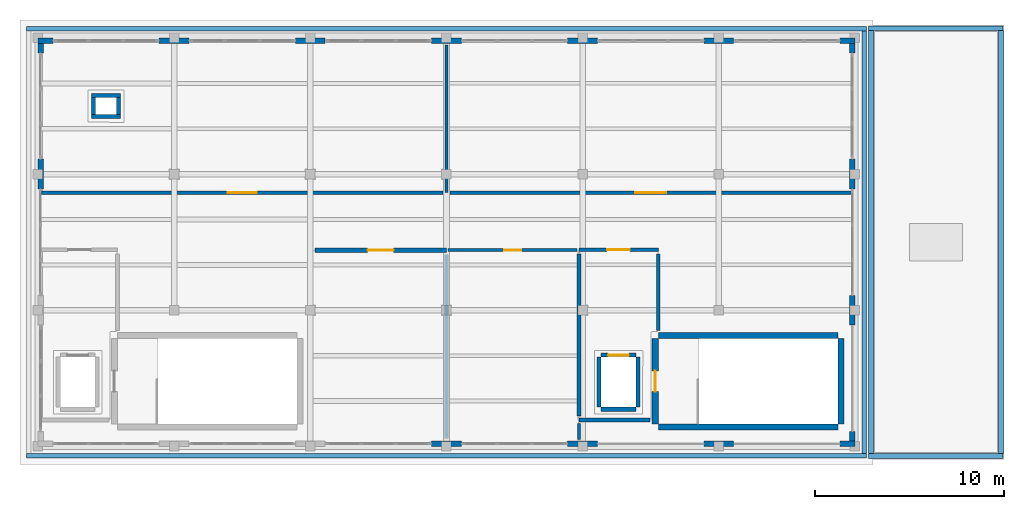
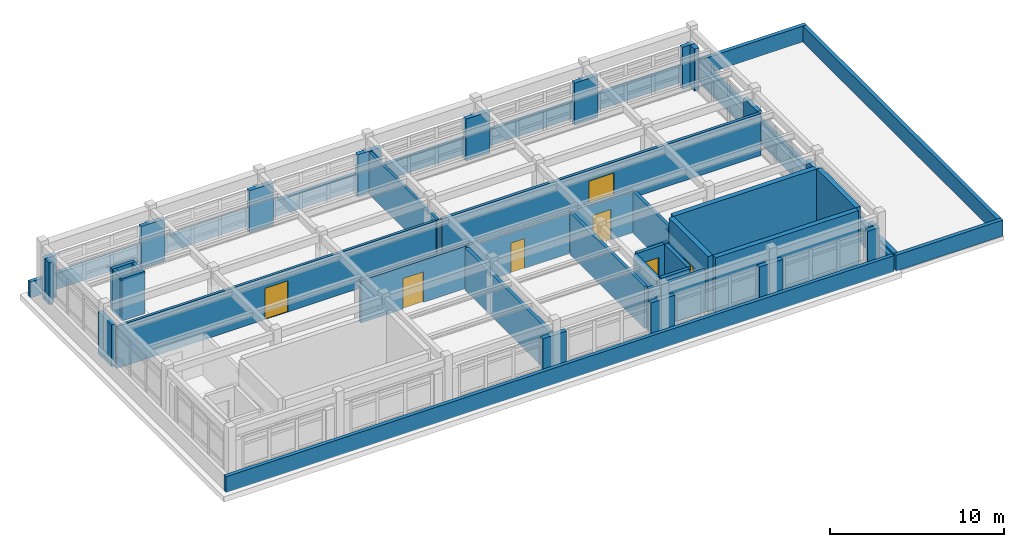
# One storey, part 11 of 12: 47 walls, 7 doors, 7 openings.
"""IFC4 building model written with IfcOpenShell, lengths in metres."""

from ifc_helpers import new_model, si_unit, direction, frame, frame_2d, origin, place, context, subcontext, project, spatial, rectangle, extrude, material, layer, layer_set, type_object, element, fill, save


model = new_model("IFC4")

# Units and contexts
model_context = context("Model", 3, precision=1e-05, world=origin(), true_north=direction((0.0, 1.0)))
body_context = subcontext(model_context, "Body", "Model", "MODEL_VIEW")
ifc_project = project(units=[si_unit("LENGTHUNIT", "METRE"), si_unit("AREAUNIT", "SQUARE_METRE"), si_unit("VOLUMEUNIT", "CUBIC_METRE"), si_unit("PLANEANGLEUNIT", "RADIAN"), si_unit("MASSUNIT", "GRAM", prefix="KILO")], contexts=[model_context])

# Site, building, storey
site_placement = place(None, origin())
site = spatial("IfcSite", under=ifc_project, at=site_placement, CompositionType="ELEMENT")
building_placement = place(site_placement, origin())
building = spatial("IfcBuilding", under=site, at=building_placement, Name="Solenvale Faculty of Natural Sciences", CompositionType="ELEMENT")
storey_placement = place(building_placement, frame((0.0, 0.0, 52.199951171875)))
storey = spatial("IfcBuildingStorey", under=building, at=storey_placement, Name="RF", CompositionType="ELEMENT", Elevation=52.199951171875)

# Walls
ifc_material_1 = material(Name="Precast concrete 40 MPa", Category="concrete")
ifc_layer_1 = layer(ifc_material_1, 0.284912109375)
ifc_layer_set_1 = layer_set([ifc_layer_1], Name="Precast concrete 40 MPa")
wall_type_1 = type_object("IfcWallType", Name="WL-EXT-PRC-285", PredefinedType="STANDARD", material=ifc_layer_set_1)
wall_1_placement = place(storey_placement, frame((143.857421875, 93.885009765625, 0.0), z_axis=(0.0, 0.0, 1.0), x_axis=(0.0, 1.0, 0.0)))
element("IfcWall", 1, at=wall_1_placement, inside=storey, type_object=wall_type_1, Name="RF Facade Closure Pier 1.B1-L", PredefinedType="STANDARD", context=body_context, shape_type="SweptSolid", body=[
    extrude(rectangle(XDim=0.5029296875, YDim=0.284912109375, at=frame_2d((0.25146484375, 0.0))), origin(), (0.0, 0.0, 1.0), 2.9599609375),
])
wall_2_placement = place(storey_placement, frame((143.857421875, 100.011962890625, 0.0), z_axis=(0.0, 0.0, 1.0), x_axis=(0.0, 1.0, 0.0)))
element("IfcWall", 2, at=wall_2_placement, inside=storey, type_object=wall_type_1, Name="RF Facade Closure Pier 1.B1-R", PredefinedType="STANDARD", context=body_context, shape_type="SweptSolid", body=[
    extrude(rectangle(XDim=1.575927734375, YDim=0.284912109375, at=frame_2d((0.7880859375, 0.0))), origin(), (0.0, 0.0, 1.0), 2.9599609375),
])
wall_3_placement = place(storey_placement, frame((143.857421875, 107.2119140625, 0.0), z_axis=(0.0, 0.0, 1.0), x_axis=(0.0, 1.0, 0.0)))
element("IfcWall", 3, at=wall_3_placement, inside=storey, type_object=wall_type_1, Name="RF Facade Closure Pier 1.B2-R", PredefinedType="STANDARD", context=body_context, shape_type="SweptSolid", body=[
    extrude(rectangle(XDim=1.576171875, YDim=0.284912109375, at=frame_2d((0.7880859375, 0.0))), origin(), (0.0, 0.0, 1.0), 2.9599609375),
])
wall_4_placement = place(storey_placement, frame((143.857421875, 114.412109375, 0.0), z_axis=(0.0, 0.0, 1.0), x_axis=(0.0, 1.0, 0.0)))
element("IfcWall", 4, at=wall_4_placement, inside=storey, type_object=wall_type_1, Name="RF Facade Closure Pier 1.B3-R", PredefinedType="STANDARD", context=body_context, shape_type="SweptSolid", body=[
    extrude(rectangle(XDim=0.5029296875, YDim=0.284912109375, at=frame_2d((0.25146484375, 0.0))), origin(), (0.0, 0.0, 1.0), 2.9599609375),
])
wall_5_placement = place(storey_placement, frame((144.0, 115.0576171875, 0.0), z_axis=(0.0, 0.0, 1.0), x_axis=(-1.0, 0.0, 0.0)))
element("IfcWall", 5, at=wall_5_placement, inside=storey, type_object=wall_type_1, Name="RF Facade Closure Pier 2.B1-L", PredefinedType="STANDARD", context=body_context, shape_type="SweptSolid", body=[
    extrude(rectangle(XDim=0.7880859375, YDim=0.284912109375, at=frame_2d((0.39404296875, 0.0))), origin(), (0.0, 0.0, 1.0), 2.9599609375),
])
for number, where, z_axis, x_axis, name in (
    (6, (137.587890625, 115.0576171875, 0.0), (0.0, 0.0, 1.0), (-1.0, 0.0, 0.0), "RF Facade Closure Pier 2.B1-R"),
    (7, (130.387939453125, 115.0576171875, 0.0), (0.0, 0.0, 1.0), (-1.0, 0.0, 0.0), "RF Facade Closure Pier 2.B2-R"),
    (8, (123.18798828125, 115.0576171875, 0.0), (0.0, 0.0, 1.0), (-1.0, 0.0, 0.0), "RF Facade Closure Pier 2.B3-R"),
    (9, (115.988037109375, 115.0576171875, 0.0), (0.0, 0.0, 1.0), (-1.0, 0.0, 0.0), "RF Facade Closure Pier 2.B4-R"),
):
    element("IfcWall", number, at=place(storey_placement, frame(where, z_axis=z_axis, x_axis=x_axis)), inside=storey, type_object=wall_type_1, Name=name, PredefinedType="STANDARD", context=body_context, shape_type="SweptSolid", body=[
        extrude(rectangle(XDim=1.575927734375, YDim=0.284912109375, at=frame_2d((0.7880859375, 0.0))), origin(), (0.0, 0.0, 1.0), 2.9599609375),
    ])
wall_6_placement = place(storey_placement, frame((108.7880859375, 115.0576171875, 0.0), z_axis=(0.0, 0.0, 1.0), x_axis=(-1.0, 0.0, 0.0)))
element("IfcWall", 10, at=wall_6_placement, inside=storey, type_object=wall_type_1, Name="RF Facade Closure Pier 2.B5-R", PredefinedType="STANDARD", context=body_context, shape_type="SweptSolid", body=[
    extrude(rectangle(XDim=1.576171875, YDim=0.284912109375, at=frame_2d((0.7880859375, 0.0))), origin(), (0.0, 0.0, 1.0), 2.9599609375),
])
wall_7_placement = place(storey_placement, frame((101.587890625, 115.0576171875, 0.0), z_axis=(0.0, 0.0, 1.0), x_axis=(-1.0, 0.0, 0.0)))
element("IfcWall", 11, at=wall_7_placement, inside=storey, type_object=wall_type_1, Name="RF Facade Closure Pier 2.B6-R", PredefinedType="STANDARD", context=body_context, shape_type="SweptSolid", body=[
    extrude(rectangle(XDim=0.787841796875, YDim=0.284912109375, at=frame_2d((0.39404296875, 0.0))), origin(), (0.0, 0.0, 1.0), 2.9599609375),
])
wall_8_placement = place(storey_placement, frame((100.9423828125, 114.9150390625, 0.0), z_axis=(0.0, 0.0, 1.0), x_axis=(0.0, -1.0, 0.0)))
element("IfcWall", 12, at=wall_8_placement, inside=storey, type_object=wall_type_1, Name="RF Facade Closure Pier 3.B1-L", PredefinedType="STANDARD", context=body_context, shape_type="SweptSolid", body=[
    extrude(rectangle(XDim=0.5029296875, YDim=0.284912109375, at=frame_2d((0.25146484375, 0.0))), origin(), (0.0, 0.0, 1.0), 2.9599609375),
])
wall_9_placement = place(storey_placement, frame((100.9423828125, 108.7880859375, 0.0), z_axis=(0.0, 0.0, 1.0), x_axis=(0.0, -1.0, 0.0)))
element("IfcWall", 13, at=wall_9_placement, inside=storey, type_object=wall_type_1, Name="RF Facade Closure Pier 3.B1-R", PredefinedType="STANDARD", context=body_context, shape_type="SweptSolid", body=[
    extrude(rectangle(XDim=1.576171875, YDim=0.284912109375, at=frame_2d((0.7880859375, 0.0))), origin(), (0.0, 0.0, 1.0), 2.9599609375),
])
for number, where, z_axis, x_axis, name in (
    (14, (121.612060546875, 93.742431640625, 0.0), (0.0, 0.0, 1.0), (1.0, 0.0, 0.0), "RF Facade Closure Pier 4.B3-R"),
    (15, (128.81201171875, 93.742431640625, 0.0), (0.0, 0.0, 1.0), (1.0, 0.0, 0.0), "RF Facade Closure Pier 4.B4-R"),
    (16, (136.011962890625, 93.742431640625, 0.0), (0.0, 0.0, 1.0), (1.0, 0.0, 0.0), "RF Facade Closure Pier 4.B5-R"),
):
    element("IfcWall", number, at=place(storey_placement, frame(where, z_axis=z_axis, x_axis=x_axis)), inside=storey, type_object=wall_type_1, Name=name, PredefinedType="STANDARD", context=body_context, shape_type="SweptSolid", body=[
        extrude(rectangle(XDim=1.575927734375, YDim=0.284912109375, at=frame_2d((0.7880859375, 0.0))), origin(), (0.0, 0.0, 1.0), 2.9599609375),
    ])
wall_10_placement = place(storey_placement, frame((143.2119140625, 93.742431640625, 0.0), z_axis=(0.0, 0.0, 1.0), x_axis=(1.0, 0.0, 0.0)))
element("IfcWall", 17, at=wall_10_placement, inside=storey, type_object=wall_type_1, Name="RF Facade Closure Pier 4.B6-R", PredefinedType="STANDARD", context=body_context, shape_type="SweptSolid", body=[
    extrude(rectangle(XDim=0.7880859375, YDim=0.284912109375, at=frame_2d((0.39404296875, 0.0))), origin(), (0.0, 0.0, 1.0), 2.9599609375),
])

# Wall, opening, door
ifc_material_2 = material(Name="Gypsum fire-rated shaftwall")
ifc_layer_2 = layer(ifc_material_2, 0.205078125)
ifc_layer_set_2 = layer_set([ifc_layer_2], Name="Gypsum fire-rated shaftwall")
wall_type_2 = type_object("IfcWallType", Name="WL-FFL-205", PredefinedType="PARTITIONING", material=ifc_layer_set_2)
wall_11_placement = place(storey_placement, frame((129.39990234375, 104.0, 0.0), z_axis=(0.0, 0.0, 1.0), x_axis=(1.0, 0.0, 0.0)))
wall_11 = element("IfcWall", 18, at=wall_11_placement, inside=storey, type_object=wall_type_2, Name="RF Firefighting Lobby C5 Partition 1", PredefinedType="PARTITIONING", context=body_context, shape_type="SweptSolid", body=[
    extrude(rectangle(XDim=4.2001953125, YDim=0.205078125, at=frame_2d((2.10009765625, 0.0))), origin(), (0.0, 0.0, 1.0), 2.9599609375),
])
opening_1_placement = place(wall_11_placement, frame((1.5, 0.0, 0.0)))
opening_1 = element("IfcOpeningElement", 19, at=opening_1_placement, cuts=wall_11, Name="Opening D-RF-02", PredefinedType="OPENING", context=body_context, shape_type="SweptSolid", body=[
    extrude(rectangle(XDim=1.199951171875, YDim=2.14990234375, at=frame_2d((0.60009765625, 1.074951171875))), frame((0.0, 0.112548828125, 0.0), z_axis=(0.0, -1.0, 0.0), x_axis=(1.0, 0.0, 0.0)), (0.0, 0.0, 1.0), 0.22509765625),
])
ifc_material_3 = material(Name="Galvanised steel S355", Category="steel")
door_type_1 = type_object("IfcDoorType", Name="DR-FFL-1200x2150", OperationType="NOTDEFINED", PredefinedType="DOOR", material=ifc_material_3)
door_1_placement = place(opening_1_placement, origin())
door_1 = element("IfcDoor", 20, at=door_1_placement, inside=storey, type_object=door_type_1, Name="RF Firefighting Lobby C5 Door", OperationType="SINGLE_SWING_LEFT", OverallHeight=2.14990234375, OverallWidth=1.199951171875, PredefinedType="DOOR", context=body_context, shape_type="SweptSolid", body=[
    extrude(rectangle(XDim=1.199951171875, YDim=2.14990234375, at=frame_2d((0.60009765625, 1.074951171875))), frame((0.0, 0.02490234375, 0.0), z_axis=(0.0, -1.0, 0.0), x_axis=(1.0, 0.0, 0.0)), (0.0, 0.0, 1.0), 0.050048828125),
])
fill(opening_1, door_1)

# Walls
wall_12_placement = place(storey_placement, frame((133.60009765625, 103.782958984375, 0.0), z_axis=(0.0, 0.0, 1.0), x_axis=(0.0, -1.0, 0.0)))
element("IfcWall", 21, at=wall_12_placement, inside=storey, type_object=wall_type_2, Name="RF Firefighting Lobby C5 Partition 2", PredefinedType="PARTITIONING", context=body_context, shape_type="SweptSolid", body=[
    extrude(rectangle(XDim=4.049072265625, YDim=0.205078125, at=frame_2d((2.0244140625, 0.0))), origin(), (0.0, 0.0, 1.0), 2.9599609375),
])
wall_13_placement = place(storey_placement, frame((133.166015625, 95.0, 0.0), z_axis=(0.0, 0.0, 1.0), x_axis=(-1.0, 0.0, 0.0)))
element("IfcWall", 22, at=wall_13_placement, inside=storey, type_object=wall_type_2, Name="RF Firefighting Lobby C5 Partition 20", PredefinedType="PARTITIONING", context=body_context, shape_type="SweptSolid", body=[
    extrude(rectangle(XDim=3.76611328125, YDim=0.205078125, at=frame_2d((1.883056640625, 0.0))), origin(), (0.0, 0.0, 1.0), 2.9599609375),
])
wall_14_placement = place(storey_placement, frame((129.39990234375, 95.217041015625, 0.0), z_axis=(0.0, 0.0, 1.0), x_axis=(0.0, 1.0, 0.0)))
element("IfcWall", 23, at=wall_14_placement, inside=storey, type_object=wall_type_2, Name="RF Firefighting Lobby C5 Partition 21", PredefinedType="PARTITIONING", context=body_context, shape_type="SweptSolid", body=[
    extrude(rectangle(XDim=8.56591796875, YDim=0.205078125, at=frame_2d((4.282958984375, 0.0))), origin(), (0.0, 0.0, 1.0), 2.9599609375),
])
ifc_material_4 = material(Name="Gypsum fire-rated laboratory partition")
ifc_layer_3 = layer(ifc_material_4, 0.175048828125)
ifc_layer_set_3 = layer_set([ifc_layer_3], Name="Gypsum fire-rated laboratory partition")
wall_type_3 = type_object("IfcWallType", Name="WL-LAB-175", PredefinedType="PARTITIONING", material=ifc_layer_set_3)
wall_15_placement = place(storey_placement, frame((122.39990234375, 114.81591796875, 0.0), z_axis=(0.0, 0.0, 1.0), x_axis=(0.0, -1.0, 0.0)))
element("IfcWall", 24, at=wall_15_placement, inside=storey, type_object=wall_type_3, Name="RF Research Greenhouse Laboratory Partition 3", PredefinedType="PARTITIONING", context=body_context, shape_type="SweptSolid", body=[
    extrude(rectangle(XDim=7.7958984375, YDim=0.175048828125, at=frame_2d((3.89794921875, 0.0))), origin(), (0.0, 0.0, 1.0), 2.9599609375),
])

# Wall, opening, door
wall_16_placement = place(storey_placement, frame((122.212890625, 107.02001953125, 0.0), z_axis=(0.0, 0.0, 1.0), x_axis=(-1.0, 0.0, 0.0)))
wall_16 = element("IfcWall", 25, at=wall_16_placement, inside=storey, type_object=wall_type_3, Name="RF Research Greenhouse Laboratory Partition 4", PredefinedType="PARTITIONING", context=body_context, shape_type="SweptSolid", body=[
    extrude(rectangle(XDim=21.22998046875, YDim=0.175048828125, at=frame_2d((10.614990234375, 0.0))), origin(), (0.0, 0.0, 1.0), 2.9599609375),
])
opening_2_placement = place(wall_16_placement, frame((9.840087890625, 0.0, 0.0)))
opening_2 = element("IfcOpeningElement", 26, at=opening_2_placement, cuts=wall_16, Name="Opening D-RF-03", PredefinedType="OPENING", context=body_context, shape_type="SweptSolid", body=[
    extrude(rectangle(XDim=1.550048828125, YDim=2.199951171875, at=frame_2d((0.77490234375, 1.10009765625))), frame((0.0, 0.097412109375, 0.0), z_axis=(0.0, -1.0, 0.0), x_axis=(1.0, 0.0, 0.0)), (0.0, 0.0, 1.0), 0.195068359375),
])
ifc_material_5 = material(Name="Oak acoustic timber leaf", Category="wood")
door_type_2 = type_object("IfcDoorType", Name="DR-LAB-1550x2200", OperationType="NOTDEFINED", PredefinedType="DOOR", material=ifc_material_5)
door_2_placement = place(opening_2_placement, origin())
door_2 = element("IfcDoor", 27, at=door_2_placement, inside=storey, type_object=door_type_2, Name="RF Research Greenhouse Laboratory Door", OperationType="SINGLE_SWING_RIGHT", OverallHeight=2.199951171875, OverallWidth=1.550048828125, PredefinedType="DOOR", context=body_context, shape_type="SweptSolid", body=[
    extrude(rectangle(XDim=1.550048828125, YDim=2.199951171875, at=frame_2d((0.77490234375, 1.10009765625))), frame((0.0, 0.02490234375, 0.0), z_axis=(0.0, -1.0, 0.0), x_axis=(1.0, 0.0, 0.0)), (0.0, 0.0, 1.0), 0.050048828125),
])
fill(opening_2, door_2)

ifc_layer_4 = layer(ifc_material_4, 0.22802734375)
ifc_layer_set_4 = layer_set([ifc_layer_4], Name="Gypsum fire-rated laboratory partition")
wall_type_4 = type_object("IfcWallType", Name="WL-LAB-228", PredefinedType="PARTITIONING", material=ifc_layer_set_4)
wall_17_placement = place(storey_placement, frame((115.43994140625, 103.97998046875, 0.0), z_axis=(0.0, 0.0, 1.0), x_axis=(1.0, 0.0, 0.0)))
wall_17 = element("IfcWall", 28, at=wall_17_placement, inside=storey, type_object=wall_type_4, Name="RF Laboratory Exhaust Scrubbing Store Partition 2", PredefinedType="PARTITIONING", context=body_context, shape_type="SweptSolid", body=[
    extrude(rectangle(XDim=6.9599609375, YDim=0.22802734375, at=frame_2d((3.47998046875, 0.0))), origin(), (0.0, 0.0, 1.0), 2.9599609375),
])
opening_3_placement = place(wall_17_placement, frame((2.7900390625, 0.0, 0.0)))
opening_3 = element("IfcOpeningElement", 29, at=opening_3_placement, cuts=wall_17, Name="Opening D-RF-05", PredefinedType="OPENING", context=body_context, shape_type="SweptSolid", body=[
    extrude(rectangle(XDim=1.3798828125, YDim=2.14990234375, at=frame_2d((0.68994140625, 1.074951171875))), frame((0.0, 0.1240234375, 0.0), z_axis=(0.0, -1.0, 0.0), x_axis=(1.0, 0.0, 0.0)), (0.0, 0.0, 1.0), 0.248046875),
])
door_type_3 = type_object("IfcDoorType", Name="DR-LAB-1380x2150", OperationType="NOTDEFINED", PredefinedType="DOOR", material=ifc_material_5)
door_3_placement = place(opening_3_placement, origin())
door_3 = element("IfcDoor", 30, at=door_3_placement, inside=storey, type_object=door_type_3, Name="RF Laboratory Exhaust Scrubbing Store Door", OperationType="SINGLE_SWING_RIGHT", OverallHeight=2.14990234375, OverallWidth=1.3798828125, PredefinedType="DOOR", context=body_context, shape_type="SweptSolid", body=[
    extrude(rectangle(XDim=1.3798828125, YDim=2.14990234375, at=frame_2d((0.68994140625, 1.074951171875))), frame((0.0, 0.02490234375, 0.0), z_axis=(0.0, -1.0, 0.0), x_axis=(1.0, 0.0, 0.0)), (0.0, 0.0, 1.0), 0.050048828125),
])
fill(opening_3, door_3)

# Walls
wall_18_placement = place(storey_placement, frame((122.39990234375, 103.739990234375, 0.0), z_axis=(0.0, 0.0, 1.0), x_axis=(0.0, -1.0, 0.0)))
element("IfcWall", 31, at=wall_18_placement, inside=storey, type_object=wall_type_4, Name="RF Laboratory Exhaust Scrubbing Store Partition 3", PredefinedType="PARTITIONING", context=body_context, shape_type="SweptSolid", body=[
    extrude(rectangle(XDim=9.72900390625, YDim=0.22802734375, at=frame_2d((4.864501953125, 0.0))), origin(), (0.0, 0.0, 1.0), 2.9599609375),
])
ifc_material_6 = material(Name="Architectural bronze concrete 40 MPa", Category="concrete")
ifc_layer_5 = layer(ifc_material_6, 0.239990234375)
ifc_layer_set_5 = layer_set([ifc_layer_5], Name="Architectural bronze concrete 40 MPa")
wall_type_5 = type_object("IfcWallType", Name="WL-PAR-BRZ-240", PredefinedType="PARAPET", material=ifc_layer_set_5)
wall_19_placement = place(storey_placement, frame((100.199951171875, 115.679931640625, 0.0), z_axis=(0.0, 0.0, 1.0), x_axis=(1.0, 0.0, 0.0)))
element("IfcWall", 32, at=wall_19_placement, inside=storey, type_object=wall_type_5, Name="RF Tower Horizontal Concrete Band 2", PredefinedType="PARAPET", context=body_context, shape_type="SweptSolid", body=[
    extrude(rectangle(XDim=44.400146484375, YDim=0.239990234375, at=frame_2d((22.2001953125, 0.0))), origin(), (0.0, 0.0, 1.0), 1.1201171875),
])
wall_20_placement = place(storey_placement, frame((144.47998046875, 115.56005859375, 0.0), z_axis=(0.0, 0.0, 1.0), x_axis=(0.0, -1.0, 0.0)))
element("IfcWall", 33, at=wall_20_placement, inside=storey, type_object=wall_type_5, Name="RF Tower Horizontal Concrete Band 3", PredefinedType="PARAPET", context=body_context, shape_type="SweptSolid", body=[
    extrude(rectangle(XDim=22.320068359375, YDim=0.239990234375, at=frame_2d((11.16015625, 0.0))), origin(), (0.0, 0.0, 1.0), 1.1201171875),
])
wall_21_placement = place(storey_placement, frame((144.60009765625, 93.1201171875, 0.0), z_axis=(0.0, 0.0, 1.0), x_axis=(-1.0, 0.0, 0.0)))
element("IfcWall", 34, at=wall_21_placement, inside=storey, type_object=wall_type_5, Name="RF Tower Horizontal Concrete Band 4", PredefinedType="PARAPET", context=body_context, shape_type="SweptSolid", body=[
    extrude(rectangle(XDim=44.400146484375, YDim=0.239990234375, at=frame_2d((22.2001953125, 0.0))), origin(), (0.0, 0.0, 1.0), 1.1201171875),
])
ifc_material_7 = material(Name="Chazy limestone masonry", Category="masonry")
ifc_layer_6 = layer(ifc_material_7, 0.2548828125)
ifc_layer_set_6 = layer_set([ifc_layer_6], Name="Chazy limestone masonry")
wall_type_6 = type_object("IfcWallType", Name="WL-PAR-LIM-255", PredefinedType="PARAPET", material=ifc_layer_set_6)
wall_22_placement = place(storey_placement, frame((151.840087890625, 93.087890625, 0.0), z_axis=(0.0, 0.0, 1.0), x_axis=(-1.0, 0.0, 0.0)))
element("IfcWall", 35, at=wall_22_placement, inside=storey, type_object=wall_type_6, Name="RF Roof Parapet 8.1", PredefinedType="PARAPET", context=body_context, shape_type="SweptSolid", body=[
    extrude(rectangle(XDim=7.1201171875, YDim=0.2548828125, at=frame_2d((3.56005859375, 0.0))), origin(), (0.0, 0.0, 1.0), 1.1201171875),
])
wall_23_placement = place(storey_placement, frame((144.846923828125, 93.215087890625, 0.0), z_axis=(0.0, 0.0, 1.0), x_axis=(0.0, 1.0, 0.0)))
element("IfcWall", 36, at=wall_23_placement, inside=storey, type_object=wall_type_6, Name="RF Roof Parapet 8.2", PredefinedType="PARAPET", context=body_context, shape_type="SweptSolid", body=[
    extrude(rectangle(XDim=22.369873046875, YDim=0.2548828125, at=frame_2d((11.18505859375, 0.0))), origin(), (0.0, 0.0, 1.0), 1.1201171875),
])
wall_24_placement = place(storey_placement, frame((144.719970703125, 115.7119140625, 0.0), z_axis=(0.0, 0.0, 1.0), x_axis=(1.0, 0.0, 0.0)))
element("IfcWall", 37, at=wall_24_placement, inside=storey, type_object=wall_type_6, Name="RF Roof Parapet 8.3", PredefinedType="PARAPET", context=body_context, shape_type="SweptSolid", body=[
    extrude(rectangle(XDim=7.1201171875, YDim=0.2548828125, at=frame_2d((3.56005859375, 0.0))), origin(), (0.0, 0.0, 1.0), 1.1201171875),
])
wall_25_placement = place(storey_placement, frame((151.712890625, 115.5849609375, 0.0), z_axis=(0.0, 0.0, 1.0), x_axis=(0.0, -1.0, 0.0)))
element("IfcWall", 38, at=wall_25_placement, inside=storey, type_object=wall_type_6, Name="RF Roof Parapet 8.4", PredefinedType="PARAPET", context=body_context, shape_type="SweptSolid", body=[
    extrude(rectangle(XDim=22.369873046875, YDim=0.2548828125, at=frame_2d((11.18505859375, 0.0))), origin(), (0.0, 0.0, 1.0), 1.1201171875),
])
ifc_material_8 = material(Name="Concrete 40 MPa", Category="concrete")
ifc_layer_7 = layer(ifc_material_8, 0.219970703125)
ifc_layer_set_7 = layer_set([ifc_layer_7], Name="Concrete 40 MPa")
wall_type_7 = type_object("IfcWallType", Name="WL-SHF-220", PredefinedType="STANDARD", material=ifc_layer_set_7)
wall_26_placement = place(storey_placement, frame((130.580078125, 95.570068359375, 0.0), z_axis=(0.0, 0.0, 1.0), x_axis=(1.0, 0.0, 0.0)))
element("IfcWall", 39, at=wall_26_placement, inside=storey, type_object=wall_type_7, Name="Elevator LF-02 RF Shaft Wall S", PredefinedType="STANDARD", context=body_context, shape_type="SweptSolid", body=[
    extrude(rectangle(XDim=1.83984375, YDim=0.219970703125, at=frame_2d((0.919921875, 0.0))), origin(), (0.0, 0.0, 1.0), 2.9599609375),
])

# Wall, opening, door
wall_27_placement = place(storey_placement, frame((130.580078125, 98.429931640625, 0.0), z_axis=(0.0, 0.0, 1.0), x_axis=(1.0, 0.0, 0.0)))
wall_27 = element("IfcWall", 40, at=wall_27_placement, inside=storey, type_object=wall_type_7, Name="Elevator LF-02 RF Shaft Wall N", PredefinedType="STANDARD", context=body_context, shape_type="SweptSolid", body=[
    extrude(rectangle(XDim=1.83984375, YDim=0.219970703125, at=frame_2d((0.919921875, 0.0))), origin(), (0.0, 0.0, 1.0), 2.9599609375),
])
opening_4_placement = place(wall_27_placement, frame((0.3701171875, 0.0, 0.0)))
opening_4 = element("IfcOpeningElement", 41, at=opening_4_placement, cuts=wall_27, Name="Opening LD-LF-02-RF", PredefinedType="OPENING", context=body_context, shape_type="SweptSolid", body=[
    extrude(rectangle(XDim=1.10009765625, YDim=2.14990234375, at=frame_2d((0.550048828125, 1.074951171875))), frame((0.0, 0.119873046875, 0.0), z_axis=(0.0, -1.0, 0.0), x_axis=(1.0, 0.0, 0.0)), (0.0, 0.0, 1.0), 0.239990234375),
])
ifc_material_9 = material(Name="Stainless steel Grade 304", Category="steel")
door_type_4 = type_object("IfcDoorType", Name="DR-LIFT-1100x2150", OperationType="NOTDEFINED", PredefinedType="DOOR", material=ifc_material_9)
door_4_placement = place(opening_4_placement, origin())
door_4 = element("IfcDoor", 42, at=door_4_placement, inside=storey, type_object=door_type_4, Name="Elevator LF-02 RF Sliding Landing Door", OperationType="SLIDING_TO_LEFT", OverallHeight=2.14990234375, OverallWidth=1.10009765625, PredefinedType="DOOR", context=body_context, shape_type="SweptSolid", body=[
    extrude(rectangle(XDim=1.10009765625, YDim=2.14990234375, at=frame_2d((0.550048828125, 1.074951171875))), frame((0.0, 0.02490234375, 0.0), z_axis=(0.0, -1.0, 0.0), x_axis=(1.0, 0.0, 0.0)), (0.0, 0.0, 1.0), 0.050048828125),
])
fill(opening_4, door_4)

# Walls
for number, where, z_axis, x_axis, name in (
    (43, (130.469970703125, 95.679931640625, 0.0), (0.0, 0.0, 1.0), (0.0, 1.0, 0.0), "Elevator LF-02 RF Shaft Wall W"),
    (44, (132.530029296875, 95.679931640625, 0.0), (0.0, 0.0, 1.0), (0.0, 1.0, 0.0), "Elevator LF-02 RF Shaft Wall E"),
):
    element("IfcWall", number, at=place(storey_placement, frame(where, z_axis=z_axis, x_axis=x_axis)), inside=storey, type_object=wall_type_7, Name=name, PredefinedType="STANDARD", context=body_context, shape_type="SweptSolid", body=[
        extrude(rectangle(XDim=2.64013671875, YDim=0.219970703125, at=frame_2d((1.320068359375, 0.0))), origin(), (0.0, 0.0, 1.0), 2.9599609375),
    ])
for number, where, z_axis, x_axis, name in (
    (45, (103.6298828125, 111.0400390625, 0.0), (0.0, 0.0, 1.0), (1.0, 0.0, 0.0), "RF Service Riser Shaft 1 Wall S"),
    (46, (103.6298828125, 112.159912109375, 0.0), (0.0, 0.0, 1.0), (1.0, 0.0, 0.0), "RF Service Riser Shaft 1 Wall N"),
):
    element("IfcWall", number, at=place(storey_placement, frame(where, z_axis=z_axis, x_axis=x_axis)), inside=storey, type_object=wall_type_7, Name=name, PredefinedType="STANDARD", context=body_context, shape_type="SweptSolid", body=[
        extrude(rectangle(XDim=1.5400390625, YDim=0.219970703125, at=frame_2d((0.77001953125, 0.0))), origin(), (0.0, 0.0, 1.0), 2.9599609375),
    ])
for number, where, z_axis, x_axis, name in (
    (47, (103.739990234375, 111.14990234375, 0.0), (0.0, 0.0, 1.0), (0.0, 1.0, 0.0), "RF Service Riser Shaft 1 Wall W"),
    (48, (105.06005859375, 111.14990234375, 0.0), (0.0, 0.0, 1.0), (0.0, 1.0, 0.0), "RF Service Riser Shaft 1 Wall E"),
):
    element("IfcWall", number, at=place(storey_placement, frame(where, z_axis=z_axis, x_axis=x_axis)), inside=storey, type_object=wall_type_7, Name=name, PredefinedType="STANDARD", context=body_context, shape_type="SweptSolid", body=[
        extrude(rectangle(XDim=0.900146484375, YDim=0.219970703125, at=frame_2d((0.4501953125, 0.0))), origin(), (0.0, 0.0, 1.0), 2.9599609375),
    ])
ifc_layer_8 = layer(ifc_material_8, 0.320068359375)
ifc_layer_set_8 = layer_set([ifc_layer_8], Name="Concrete 40 MPa")
wall_type_8 = type_object("IfcWallType", Name="WL-SHR-320", PredefinedType="SHEAR", material=ifc_layer_set_8)
for number, where, z_axis, x_axis, name in (
    (49, (133.60009765625, 94.639892578125, 0.0), (0.0, 0.0, 1.0), (1.0, 0.0, 0.0), "Core C5 RF Shear Wall S"),
    (50, (133.60009765625, 99.4599609375, 0.0), (0.0, 0.0, 1.0), (1.0, 0.0, 0.0), "Core C5 RF Shear Wall N"),
):
    element("IfcWall", number, at=place(storey_placement, frame(where, z_axis=z_axis, x_axis=x_axis)), inside=storey, type_object=wall_type_8, Name=name, PredefinedType="SHEAR", context=body_context, shape_type="SweptSolid", body=[
        extrude(rectangle(XDim=9.5, YDim=0.320068359375, at=frame_2d((4.75, 0.0))), origin(), (0.0, 0.0, 1.0), 3.920166015625),
    ])

# Wall, opening, door
wall_28_placement = place(storey_placement, frame((133.43994140625, 94.800048828125, 0.0), z_axis=(0.0, 0.0, 1.0), x_axis=(0.0, 1.0, 0.0)))
wall_28 = element("IfcWall", 51, at=wall_28_placement, inside=storey, type_object=wall_type_8, Name="Core C5 RF Shear Wall W", PredefinedType="SHEAR", context=body_context, shape_type="SweptSolid", body=[
    extrude(rectangle(XDim=4.5, YDim=0.320068359375, at=frame_2d((2.25, 0.0))), origin(), (0.0, 0.0, 1.0), 3.920166015625),
])
opening_5_placement = place(wall_28_placement, frame((1.699951171875, 0.0, 0.0)))
opening_5 = element("IfcOpeningElement", 52, at=opening_5_placement, cuts=wall_28, Name="Opening DS-C5-RF", PredefinedType="OPENING", context=body_context, shape_type="SweptSolid", body=[
    extrude(rectangle(XDim=1.10009765625, YDim=2.14990234375, at=frame_2d((0.550048828125, 1.074951171875))), frame((0.0, 0.169921875, 0.0), z_axis=(0.0, -1.0, 0.0), x_axis=(1.0, 0.0, 0.0)), (0.0, 0.0, 1.0), 0.340087890625),
])
door_type_5 = type_object("IfcDoorType", Name="DR-STAIR-1100x2150", OperationType="NOTDEFINED", PredefinedType="DOOR", material=ifc_material_3)
door_5_placement = place(opening_5_placement, origin())
door_5 = element("IfcDoor", 53, at=door_5_placement, inside=storey, type_object=door_type_5, Name="RF Stair ST-05 Fire Door", OperationType="SINGLE_SWING_LEFT", OverallHeight=2.14990234375, OverallWidth=1.10009765625, PredefinedType="DOOR", context=body_context, shape_type="SweptSolid", body=[
    extrude(rectangle(XDim=1.10009765625, YDim=2.14990234375, at=frame_2d((0.550048828125, 1.074951171875))), frame((0.0, 0.02490234375, 0.0), z_axis=(0.0, -1.0, 0.0), x_axis=(1.0, 0.0, 0.0)), (0.0, 0.0, 1.0), 0.050048828125),
])
fill(opening_5, door_5)

# Wall
wall_29_placement = place(storey_placement, frame((143.260009765625, 94.800048828125, 0.0), z_axis=(0.0, 0.0, 1.0), x_axis=(0.0, 1.0, 0.0)))
element("IfcWall", 54, at=wall_29_placement, inside=storey, type_object=wall_type_8, Name="Core C5 RF Shear Wall E", PredefinedType="SHEAR", context=body_context, shape_type="SweptSolid", body=[
    extrude(rectangle(XDim=4.5, YDim=0.320068359375, at=frame_2d((2.25, 0.0))), origin(), (0.0, 0.0, 1.0), 3.920166015625),
])

# Wall, opening, door
ifc_material_10 = material(Name="Concrete masonry 20 MPa", Category="masonry")
ifc_layer_9 = layer(ifc_material_10, 0.195068359375)
ifc_layer_set_9 = layer_set([ifc_layer_9], Name="Concrete masonry 20 MPa")
wall_type_9 = type_object("IfcWallType", Name="WL-STR-195", PredefinedType="PARTITIONING", material=ifc_layer_set_9)
wall_30_placement = place(storey_placement, frame((143.81689453125, 107.02001953125, 0.0), z_axis=(0.0, 0.0, 1.0), x_axis=(-1.0, 0.0, 0.0)))
wall_30 = element("IfcWall", 55, at=wall_30_placement, inside=storey, type_object=wall_type_9, Name="RF Heat-Recovery Mechanical Plant Penthouse Partition 4", PredefinedType="PARTITIONING", context=body_context, shape_type="SweptSolid", body=[
    extrude(rectangle(XDim=21.219970703125, YDim=0.195068359375, at=frame_2d((10.60986328125, 0.0))), origin(), (0.0, 0.0, 1.0), 2.9599609375),
])
opening_6_placement = place(wall_30_placement, frame((9.784912109375, 0.0, 0.0)))
opening_6 = element("IfcOpeningElement", 56, at=opening_6_placement, cuts=wall_30, Name="Opening D-RF-04", PredefinedType="OPENING", context=body_context, shape_type="SweptSolid", body=[
    extrude(rectangle(XDim=1.64990234375, YDim=2.199951171875, at=frame_2d((0.824951171875, 1.10009765625))), frame((0.0, 0.107421875, 0.0), z_axis=(0.0, -1.0, 0.0), x_axis=(1.0, 0.0, 0.0)), (0.0, 0.0, 1.0), 0.215087890625),
])
door_type_6 = type_object("IfcDoorType", Name="DR-PLT-1650x2200", OperationType="NOTDEFINED", PredefinedType="DOOR", material=ifc_material_3)
door_6_placement = place(opening_6_placement, origin())
door_6 = element("IfcDoor", 57, at=door_6_placement, inside=storey, type_object=door_type_6, Name="RF Heat-Recovery Mechanical Plant Penthouse Door", OperationType="SINGLE_SWING_LEFT", OverallHeight=2.199951171875, OverallWidth=1.64990234375, PredefinedType="DOOR", context=body_context, shape_type="SweptSolid", body=[
    extrude(rectangle(XDim=1.64990234375, YDim=2.199951171875, at=frame_2d((0.824951171875, 1.10009765625))), frame((0.0, 0.02490234375, 0.0), z_axis=(0.0, -1.0, 0.0), x_axis=(1.0, 0.0, 0.0)), (0.0, 0.0, 1.0), 0.050048828125),
])
fill(opening_6, door_6)

ifc_material_11 = material(Name="Moisture-resistant tile partition")
ifc_layer_10 = layer(ifc_material_11, 0.14990234375)
ifc_layer_set_10 = layer_set([ifc_layer_10], Name="Moisture-resistant tile partition")
wall_type_10 = type_object("IfcWallType", Name="WL-WC-150", PredefinedType="PARTITIONING", material=ifc_layer_set_10)
wall_31_placement = place(storey_placement, frame((122.487060546875, 103.97998046875, 0.0), z_axis=(0.0, 0.0, 1.0), x_axis=(1.0, 0.0, 0.0)))
wall_31 = element("IfcWall", 58, at=wall_31_placement, inside=storey, type_object=wall_type_10, Name="RF Accessible Washroom Partition 2", PredefinedType="PARTITIONING", context=body_context, shape_type="SweptSolid", body=[
    extrude(rectangle(XDim=6.825927734375, YDim=0.14990234375, at=frame_2d((3.4130859375, 0.0))), origin(), (0.0, 0.0, 1.0), 2.9599609375),
])
opening_7_placement = place(wall_31_placement, frame((2.962890625, 0.0, 0.0)))
opening_7 = element("IfcOpeningElement", 59, at=opening_7_placement, cuts=wall_31, Name="Opening D-RF-06", PredefinedType="OPENING", context=body_context, shape_type="SweptSolid", body=[
    extrude(rectangle(XDim=0.89990234375, YDim=2.10009765625, at=frame_2d((0.449951171875, 1.050048828125))), frame((0.0, 0.0849609375, 0.0), z_axis=(0.0, -1.0, 0.0), x_axis=(1.0, 0.0, 0.0)), (0.0, 0.0, 1.0), 0.169921875),
])
door_type_7 = type_object("IfcDoorType", Name="DR-WC-0900x2100", OperationType="NOTDEFINED", PredefinedType="DOOR", material=ifc_material_5)
door_7_placement = place(opening_7_placement, origin())
door_7 = element("IfcDoor", 60, at=door_7_placement, inside=storey, type_object=door_type_7, Name="RF Accessible Washroom Door", OperationType="SINGLE_SWING_LEFT", OverallHeight=2.10009765625, OverallWidth=0.89990234375, PredefinedType="DOOR", context=body_context, shape_type="SweptSolid", body=[
    extrude(rectangle(XDim=0.89990234375, YDim=2.10009765625, at=frame_2d((0.449951171875, 1.050048828125))), frame((0.0, 0.02490234375, 0.0), z_axis=(0.0, -1.0, 0.0), x_axis=(1.0, 0.0, 0.0)), (0.0, 0.0, 1.0), 0.050048828125),
])
fill(opening_7, door_7)

# Wall
wall_32_placement = place(storey_placement, frame((129.39990234375, 94.81005859375, 0.0), z_axis=(0.0, 0.0, 1.0), x_axis=(0.0, -1.0, 0.0)))
element("IfcWall", 61, at=wall_32_placement, inside=storey, type_object=wall_type_10, Name="RF Accessible Washroom Partition 20", PredefinedType="PARTITIONING", context=body_context, shape_type="SweptSolid", body=[
    extrude(rectangle(XDim=0.838134765625, YDim=0.14990234375, at=frame_2d((0.4189453125, 0.0))), origin(), (0.0, 0.0, 1.0), 2.9599609375),
])

save(model, "model.ifc")
